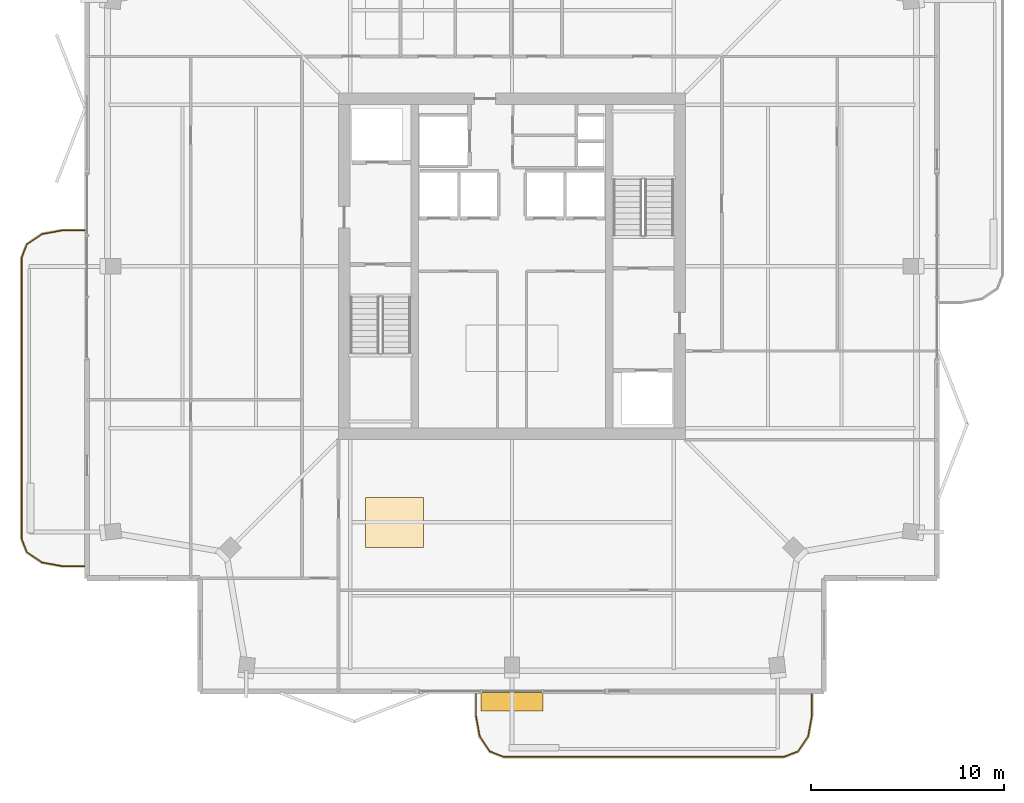
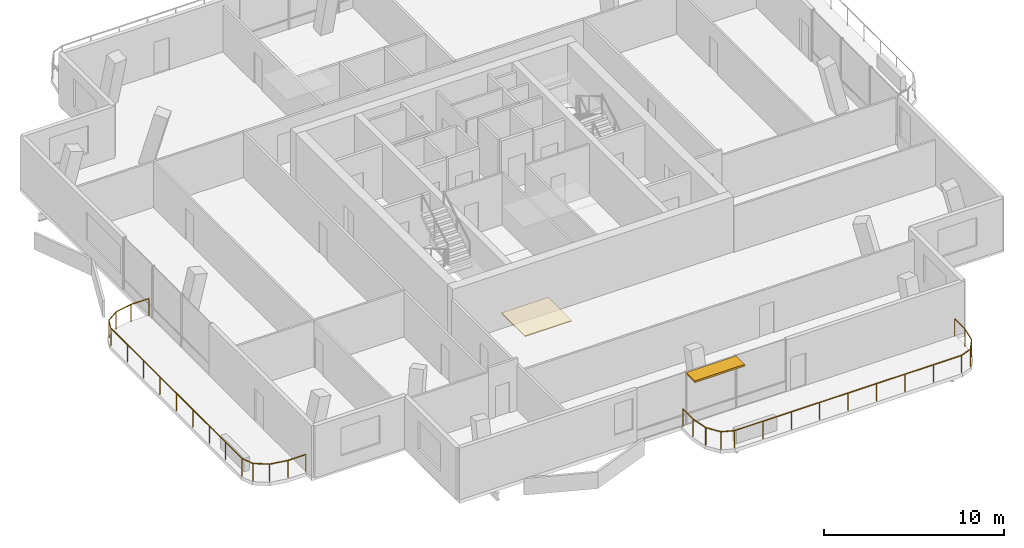
# One storey, part 17 of 19: 2 railings, 1 covering, 1 shading device.
"""IFC4 building model written with IfcOpenShell, lengths in metres."""

import ifcopenshell
import ifcopenshell.guid

model = None  # the IFC model being written
_history = None  # IfcOwnerHistory: only IFC2X3 demands one
_inside = {}  # id of a spatial element -> (the spatial element, [elements in it])
_under = {}  # id of a project, library or spatial element -> (it, [spatial elements below it])
_declared = {}  # id of a project -> (the project, [libraries it declares])
_typed = {}  # id of a type object -> (the type object, [elements of that type])
_made_of = {}  # id of a material, layer set ... -> (it, [elements and type objects made of it])


def new_model(schema):
    """Start an empty IFC model of exactly this schema.

    Asked for "IFC4X3", IfcOpenShell would pick the latest addendum, in which some entities
    have other attributes; the version numbers below select the first issue.
    IFC2X3 requires an IfcOwnerHistory on every rooted entity: one is made here for all.
    """
    global model, _history
    if schema == "IFC4X3":
        model = ifcopenshell.file(schema_version=(4, 3, 0, 0))
    else:
        model = ifcopenshell.file(schema=schema)
    _inside.clear()
    _under.clear()
    _declared.clear()
    _typed.clear()
    _made_of.clear()
    _history = None
    if model.schema == "IFC2X3":
        org = make("IfcOrganization", Name="unknown")
        user = make(
            "IfcPersonAndOrganization",
            ThePerson=make("IfcPerson", FamilyName="unknown"),
            TheOrganization=org,
        )
        app = make(
            "IfcApplication",
            ApplicationDeveloper=org,
            Version="unknown",
            ApplicationFullName="unknown",
            ApplicationIdentifier="unknown",
        )
        _history = make(
            "IfcOwnerHistory",
            OwningUser=user,
            OwningApplication=app,
            ChangeAction="ADDED",
            CreationDate=0,
        )
    return model


def make(cls, **values):
    """One entity of the class cls with the attributes given. An attribute that is None is left unset."""
    return model.create_entity(
        cls, **{name: value for name, value in values.items() if value is not None}
    )


def rooted(cls, **values):
    """An entity with a GlobalId (a new one), such as an element, a storey or a relation."""
    return make(cls, GlobalId=ifcopenshell.guid.new(), OwnerHistory=_history, **values)


def si_unit(unit_type, name, prefix=None):
    """IfcSIUnit, for example si_unit("LENGTHUNIT", "METRE", prefix="MILLI")."""
    return make("IfcSIUnit", UnitType=unit_type, Prefix=prefix, Name=name)


def assignment(units):
    """IfcUnitAssignment: the units of a project."""
    return None if units is None else make("IfcUnitAssignment", Units=units)


def point(xyz):
    """IfcCartesianPoint."""
    return None if xyz is None else make("IfcCartesianPoint", Coordinates=xyz)


def direction(xyz):
    """IfcDirection."""
    return None if xyz is None else make("IfcDirection", DirectionRatios=xyz)


def frame(location, z_axis=None, x_axis=None):
    """IfcAxis2Placement3D, a coordinate frame: its origin and axes. An axis left out is left unset."""
    return make(
        "IfcAxis2Placement3D",
        Location=point(location),
        Axis=direction(z_axis),
        RefDirection=direction(x_axis),
    )


def frame_2d(location, x_axis=None):
    """IfcAxis2Placement2D, a coordinate frame in the plane: its origin and x axis."""
    return make(
        "IfcAxis2Placement2D", Location=point(location), RefDirection=direction(x_axis)
    )


def origin():
    """The frame at (0, 0, 0) with its axes left unset."""
    return frame((0.0, 0.0, 0.0))


def origin_2d():
    """The frame at (0, 0) in the plane with its x axis left unset."""
    return frame_2d((0.0, 0.0))


def place(relative_to, where):
    """IfcLocalPlacement: puts the frame where relative to a parent placement (None: the world)."""
    return make(
        "IfcLocalPlacement", PlacementRelTo=relative_to, RelativePlacement=where
    )


def context(
    kind, dimensions, precision=None, world=None, true_north=None, identifier=None
):
    """IfcGeometricRepresentationContext, for example the 3D "Model" context."""
    return make(
        "IfcGeometricRepresentationContext",
        ContextIdentifier=identifier,
        ContextType=kind,
        CoordinateSpaceDimension=dimensions,
        Precision=precision,
        WorldCoordinateSystem=world,
        TrueNorth=true_north,
    )


def subcontext(parent, identifier, kind, view, scale=None):
    """IfcGeometricRepresentationSubContext, for example "Body" below "Model"."""
    return make(
        "IfcGeometricRepresentationSubContext",
        ContextIdentifier=identifier,
        ContextType=kind,
        ParentContext=parent,
        TargetScale=scale,
        TargetView=view,
    )


def project(units=None, contexts=None):
    """IfcProject with its units and contexts."""
    return rooted(
        "IfcProject",
        Name="project",
        RepresentationContexts=contexts,
        UnitsInContext=assignment(units),
    )


def spatial(cls, under=None, at=None, **own):
    """A site, building, storey or space (cls), placed at a placement, below another one or the project."""
    s = rooted(cls, ObjectPlacement=at, **own)
    if under is not None:
        _under.setdefault(under.id(), (under, []))[1].append(s)
    return s


def polyline(points):
    """IfcPolyline through the points."""
    return make("IfcPolyline", Points=[point(p) for p in points])


def profile(cls, at=None, kind="AREA", **sizes):
    """A parametric profile (cls). Its sizes go by their IFC names, for example OverallWidth=200.0."""
    return make(cls, ProfileType=kind, Position=at, **sizes)


def rectangle(**sizes):
    """IfcRectangleProfileDef."""
    return profile("IfcRectangleProfileDef", **sizes)


def outline(outer, holes=None, kind="AREA"):
    """IfcArbitraryClosedProfileDef: a profile drawn as a closed curve; with holes, ...WithVoids."""
    if holes is None:
        return make("IfcArbitraryClosedProfileDef", ProfileType=kind, OuterCurve=outer)
    return make(
        "IfcArbitraryProfileDefWithVoids",
        ProfileType=kind,
        OuterCurve=outer,
        InnerCurves=holes,
    )


def extrude(swept, where, along, depth):
    """IfcExtrudedAreaSolid: the profile swept, set in the frame where, extruded along a direction by depth."""
    return make(
        "IfcExtrudedAreaSolid",
        SweptArea=swept,
        Position=where,
        ExtrudedDirection=direction(along),
        Depth=depth,
    )


def shape(context_of_items, identifier, shape_type, items):
    """IfcShapeRepresentation: the items that make up one representation, for example the "Body"."""
    return make(
        "IfcShapeRepresentation",
        ContextOfItems=context_of_items,
        RepresentationIdentifier=identifier,
        RepresentationType=shape_type,
        Items=items,
    )


def material(Name=None, Category=None):
    """IfcMaterial."""
    return make("IfcMaterial", Name=Name, Category=Category)


def layer(
    of_material, thickness, ventilated=None, Name=None, Category=None, Priority=None
):
    """IfcMaterialLayer: one layer of a wall or slab, of a material (None: an air gap)."""
    return make(
        "IfcMaterialLayer",
        Material=of_material,
        LayerThickness=thickness,
        IsVentilated=ventilated,
        Name=Name,
        Category=Category,
        Priority=Priority,
    )


def layer_set(layers, Name=None):
    """IfcMaterialLayerSet."""
    return make("IfcMaterialLayerSet", MaterialLayers=layers, LayerSetName=Name)


def made_of(thing, what):
    """Note that an element or type object is made of a material, layer set ...; save() writes the relation."""
    if what is not None:
        _made_of.setdefault(what.id(), (what, []))[1].append(thing)
    return thing


def type_object(cls, material=None, **own):
    """A type object (cls), such as IfcWallType, which elements share."""
    return made_of(rooted(cls, **own), material)


def element(
    cls,
    number,
    at=None,
    inside=None,
    cuts=None,
    type_object=None,
    material=None,
    context=None,
    identifier="Body",
    shape_type=None,
    held_by="IfcProductDefinitionShape",
    body=None,
    shapes=None,
    **own,
):
    """One element of the class cls, such as IfcWall. Its Tag is "e" and its number.

    at: its placement. inside: the storey or other place that contains it. cuts: it is an
    opening in that element (IfcRelVoidsElement). A single representation is given by context,
    identifier, shape_type and body (its items); several are given by shapes. held_by: the class
    of the entity that holds the representations. save() writes the other relations.
    """
    e = rooted(cls, Tag="e%d" % number, ObjectPlacement=at, **own)
    if body is not None:
        shapes = [shape(context, identifier, shape_type, body)]
    if shapes is not None:
        e.Representation = make(held_by, Representations=shapes)
    if inside is not None:
        _inside.setdefault(inside.id(), (inside, []))[1].append(e)
    if cuts is not None:
        rooted(
            "IfcRelVoidsElement", RelatingBuildingElement=cuts, RelatedOpeningElement=e
        )
    if type_object is not None:
        _typed.setdefault(type_object.id(), (type_object, []))[1].append(e)
    return made_of(e, material)


def aggregate(whole, parts):
    """IfcRelAggregates: a whole, such as a stair, and the parts it consists of."""
    return rooted("IfcRelAggregates", RelatingObject=whole, RelatedObjects=parts)


def save(model, path):
    """Write the relations noted so far, then the file.

    IfcRelAggregates (storeys below a building ...), IfcRelContainedInSpatialStructure (elements
    in a storey), IfcRelDefinesByType, IfcRelAssociatesMaterial and IfcRelDeclares: one each for
    every whole, place, type object, material and project.
    """
    for whole, parts in _under.values():
        aggregate(whole, parts)
    for where, things in _inside.values():
        rooted(
            "IfcRelContainedInSpatialStructure",
            RelatedElements=things,
            RelatingStructure=where,
        )
    for kind, things in _typed.values():
        rooted("IfcRelDefinesByType", RelatedObjects=things, RelatingType=kind)
    for what, things in _made_of.values():
        rooted("IfcRelAssociatesMaterial", RelatedObjects=things, RelatingMaterial=what)
    for by, libraries in _declared.values():
        rooted("IfcRelDeclares", RelatingContext=by, RelatedDefinitions=libraries)
    model.write(path)


model = new_model("IFC4")

# Units and contexts
model_context = context("Model", 3, precision=1e-05, world=origin(), true_north=direction((0.0, 1.0)))
body_context = subcontext(model_context, "Body", "Model", "MODEL_VIEW")
ifc_project = project(units=[si_unit("LENGTHUNIT", "METRE"), si_unit("AREAUNIT", "SQUARE_METRE"), si_unit("VOLUMEUNIT", "CUBIC_METRE"), si_unit("PLANEANGLEUNIT", "RADIAN"), si_unit("MASSUNIT", "GRAM", prefix="KILO")], contexts=[model_context])

# Site, building, storey
site_placement = place(None, origin())
site = spatial("IfcSite", under=ifc_project, at=site_placement, CompositionType="ELEMENT")
building_placement = place(site_placement, origin())
building = spatial("IfcBuilding", under=site, at=building_placement, Name="Belovzor Exchange Tower", CompositionType="ELEMENT")
storey_placement = place(building_placement, frame((0.0, 0.0, 340.5)))
storey = spatial("IfcBuildingStorey", under=building, at=storey_placement, Name="L85", CompositionType="ELEMENT", Elevation=340.5)

# Railings
ifc_material_1 = material(Name="Stainless Steel and Laminated Safety Glass", Category="steel")
railing_type = type_object("IfcRailingType", Name="Laminated Glass & Stainless Steel Balcony Balustrade 1200", PredefinedType="BALUSTRADE", material=ifc_material_1)
railing_1_placement = place(storey_placement, frame((26.929931640625, 6.590087890625, 0.0)))
element("IfcRailing", 1, at=railing_1_placement, inside=storey, type_object=railing_type, Name="GR-1 Balcony Balustrade L85 South", PredefinedType="BALUSTRADE", context=body_context, shape_type="SweptSolid", body=[
    extrude(rectangle(XDim=0.048095703125, YDim=0.048095703125, at=origin_2d()), frame((0.0, 0.0, 1.17578125), z_axis=(0.0, -1.0, 0.0), x_axis=(1.0, 0.0, 0.0)), (0.0, 0.0, 1.0), 1.133056640625),
    extrude(rectangle(XDim=0.048095703125, YDim=0.048095703125, at=origin_2d()), frame((0.0, -1.133056640625, 1.17578125), z_axis=(0.180122719713, -0.983644145941, 0.0), x_axis=(0.983644145941, 0.180122719713, 0.0)), (0.0, 0.0, 1.0), 1.09375),
    extrude(rectangle(XDim=0.048095703125, YDim=0.048095703125, at=origin_2d()), frame((0.197021484375, -2.208984375, 1.17578125), z_axis=(0.56294695933, -0.826493025367, 0.0), x_axis=(0.826493025367, 0.56294695933, 0.0)), (0.0, 0.0, 1.0), 0.932861328125),
    extrude(rectangle(XDim=0.048095703125, YDim=0.048095703125, at=origin_2d()), frame((0.72216796875, -2.97998046875, 1.17578125), z_axis=(0.930766990125, -0.365612923861, 0.0), x_axis=(0.365612923861, 0.930766990125, 0.0)), (0.0, 0.0, 1.0), 0.765869140625),
    extrude(rectangle(XDim=0.048095703125, YDim=0.048095703125, at=origin_2d()), frame((1.43505859375, -3.260009765625, 1.17578125), z_axis=(1.0, 0.0, 0.0), x_axis=(0.0, 1.0, 0.0)), (0.0, 0.0, 1.0), 14.570068359375),
    extrude(rectangle(XDim=0.048095703125, YDim=0.048095703125, at=origin_2d()), frame((16.005126953125, -3.260009765625, 1.17578125), z_axis=(0.930766990125, 0.365612923861, 0.0), x_axis=(-0.365612923861, 0.930766990125, 0.0)), (0.0, 0.0, 1.0), 0.765869140625),
    extrude(rectangle(XDim=0.048095703125, YDim=0.048095703125, at=origin_2d()), frame((16.718017578125, -2.97998046875, 1.17578125), z_axis=(0.56294695933, 0.826493025367, 0.0), x_axis=(-0.826493025367, 0.56294695933, 0.0)), (0.0, 0.0, 1.0), 0.932861328125),
    extrude(rectangle(XDim=0.048095703125, YDim=0.048095703125, at=origin_2d()), frame((17.2431640625, -2.208984375, 1.17578125), z_axis=(0.180122719713, 0.983644145941, 0.0), x_axis=(-0.983644145941, 0.180122719713, 0.0)), (0.0, 0.0, 1.0), 1.09375),
    extrude(rectangle(XDim=0.048095703125, YDim=0.048095703125, at=origin_2d()), frame((17.440185546875, -1.133056640625, 1.17578125), z_axis=(0.0, 1.0, 0.0), x_axis=(-1.0, 0.0, 0.0)), (0.0, 0.0, 1.0), 1.133056640625),
    extrude(rectangle(XDim=0.0419921875, YDim=0.0419921875, at=origin_2d()), origin(), (0.0, 0.0, 1.0), 1.15185546875),
    extrude(rectangle(XDim=0.0419921875, YDim=0.0419921875, at=origin_2d()), frame((0.0, -1.133056640625, 0.0)), (0.0, 0.0, 1.0), 1.15185546875),
    extrude(rectangle(XDim=0.0419921875, YDim=0.0419921875, at=origin_2d()), frame((0.197021484375, -2.208984375, 0.0)), (0.0, 0.0, 1.0), 1.15185546875),
    extrude(rectangle(XDim=0.0419921875, YDim=0.0419921875, at=origin_2d()), frame((0.72216796875, -2.97998046875, 0.0)), (0.0, 0.0, 1.0), 1.15185546875),
    extrude(rectangle(XDim=0.0419921875, YDim=0.0419921875, at=origin_2d()), frame((1.43505859375, -3.260009765625, 0.0)), (0.0, 0.0, 1.0), 1.15185546875),
    extrude(rectangle(XDim=0.0419921875, YDim=0.0419921875, at=origin_2d()), frame((3.25634765625, -3.260009765625, 0.0)), (0.0, 0.0, 1.0), 1.15185546875),
    extrude(rectangle(XDim=0.0419921875, YDim=0.0419921875, at=origin_2d()), frame((5.07763671875, -3.260009765625, 0.0)), (0.0, 0.0, 1.0), 1.15185546875),
    extrude(rectangle(XDim=0.0419921875, YDim=0.0419921875, at=origin_2d()), frame((6.89892578125, -3.260009765625, 0.0)), (0.0, 0.0, 1.0), 1.15185546875),
    extrude(rectangle(XDim=0.0419921875, YDim=0.0419921875, at=origin_2d()), frame((8.72021484375, -3.260009765625, 0.0)), (0.0, 0.0, 1.0), 1.15185546875),
    extrude(rectangle(XDim=0.0419921875, YDim=0.0419921875, at=origin_2d()), frame((10.541259765625, -3.260009765625, 0.0)), (0.0, 0.0, 1.0), 1.15185546875),
    extrude(rectangle(XDim=0.0419921875, YDim=0.0419921875, at=origin_2d()), frame((12.362548828125, -3.260009765625, 0.0)), (0.0, 0.0, 1.0), 1.15185546875),
    extrude(rectangle(XDim=0.0419921875, YDim=0.0419921875, at=origin_2d()), frame((14.183837890625, -3.260009765625, 0.0)), (0.0, 0.0, 1.0), 1.15185546875),
    extrude(rectangle(XDim=0.0419921875, YDim=0.0419921875, at=origin_2d()), frame((16.005126953125, -3.260009765625, 0.0)), (0.0, 0.0, 1.0), 1.15185546875),
    extrude(rectangle(XDim=0.0419921875, YDim=0.0419921875, at=origin_2d()), frame((16.718017578125, -2.97998046875, 0.0)), (0.0, 0.0, 1.0), 1.15185546875),
    extrude(rectangle(XDim=0.0419921875, YDim=0.0419921875, at=origin_2d()), frame((17.2431640625, -2.208984375, 0.0)), (0.0, 0.0, 1.0), 1.15185546875),
    extrude(rectangle(XDim=0.0419921875, YDim=0.0419921875, at=origin_2d()), frame((17.440185546875, -1.133056640625, 0.0)), (0.0, 0.0, 1.0), 1.15185546875),
    extrude(rectangle(XDim=0.0419921875, YDim=0.0419921875, at=origin_2d()), frame((17.440185546875, 0.0, 0.0)), (0.0, 0.0, 1.0), 1.15185546875),
])
railing_2_placement = place(storey_placement, frame((6.590087890625, 30.669921875, 0.0)))
element("IfcRailing", 2, at=railing_2_placement, inside=storey, type_object=railing_type, Name="GR-1 Balcony Balustrade L85 West", PredefinedType="BALUSTRADE", context=body_context, shape_type="SweptSolid", body=[
    extrude(rectangle(XDim=0.048095703125, YDim=0.048095703125, at=origin_2d()), frame((0.0, 0.0, 1.17578125), z_axis=(-1.0, 0.0, 0.0), x_axis=(0.0, -1.0, 0.0)), (0.0, 0.0, 1.0), 1.133056640625),
    extrude(rectangle(XDim=0.048095703125, YDim=0.048095703125, at=origin_2d()), frame((-1.133056640625, 0.0, 1.17578125), z_axis=(-0.983644145941, -0.180122719713, 0.0), x_axis=(0.180122719713, -0.983644145941, 0.0)), (0.0, 0.0, 1.0), 1.09375),
    extrude(rectangle(XDim=0.048095703125, YDim=0.048095703125, at=origin_2d()), frame((-2.208984375, -0.197021484375, 1.17578125), z_axis=(-0.826614792125, -0.562768145367, 0.0), x_axis=(0.562768145367, -0.826614792125, 0.0)), (0.0, 0.0, 1.0), 0.9326171875),
    extrude(rectangle(XDim=0.048095703125, YDim=0.048095703125, at=origin_2d()), frame((-2.97998046875, -0.721923828125, 1.17578125), z_axis=(-0.365612923861, -0.930766990125, 0.0), x_axis=(0.930766990125, -0.365612923861, 0.0)), (0.0, 0.0, 1.0), 0.765869140625),
    extrude(rectangle(XDim=0.048095703125, YDim=0.048095703125, at=origin_2d()), frame((-3.260009765625, -1.434814453125, 1.17578125), z_axis=(0.0, -1.0, 0.0), x_axis=(1.0, 0.0, 0.0)), (0.0, 0.0, 1.0), 14.570068359375),
    extrude(rectangle(XDim=0.048095703125, YDim=0.048095703125, at=origin_2d()), frame((-3.260009765625, -16.0048828125, 1.17578125), z_axis=(0.365504480807, -0.930809580156, 0.0), x_axis=(0.930809580156, 0.365504480807, 0.0)), (0.0, 0.0, 1.0), 0.76611328125),
    extrude(rectangle(XDim=0.048095703125, YDim=0.048095703125, at=origin_2d()), frame((-2.97998046875, -16.718017578125, 1.17578125), z_axis=(0.826614792125, -0.562768145367, 0.0), x_axis=(0.562768145367, 0.826614792125, 0.0)), (0.0, 0.0, 1.0), 0.9326171875),
    extrude(rectangle(XDim=0.048095703125, YDim=0.048095703125, at=origin_2d()), frame((-2.208984375, -17.242919921875, 1.17578125), z_axis=(0.983644145941, -0.180122719713, 0.0), x_axis=(0.180122719713, 0.983644145941, 0.0)), (0.0, 0.0, 1.0), 1.09375),
    extrude(rectangle(XDim=0.048095703125, YDim=0.048095703125, at=origin_2d()), frame((-1.133056640625, -17.43994140625, 1.17578125), z_axis=(1.0, 0.0, 0.0), x_axis=(0.0, 1.0, 0.0)), (0.0, 0.0, 1.0), 1.133056640625),
    extrude(rectangle(XDim=0.0419921875, YDim=0.0419921875, at=origin_2d()), origin(), (0.0, 0.0, 1.0), 1.15185546875),
    extrude(rectangle(XDim=0.0419921875, YDim=0.0419921875, at=origin_2d()), frame((-1.133056640625, 0.0, 0.0)), (0.0, 0.0, 1.0), 1.15185546875),
    extrude(rectangle(XDim=0.0419921875, YDim=0.0419921875, at=origin_2d()), frame((-2.208984375, -0.197021484375, 0.0)), (0.0, 0.0, 1.0), 1.15185546875),
    extrude(rectangle(XDim=0.0419921875, YDim=0.0419921875, at=origin_2d()), frame((-2.97998046875, -0.721923828125, 0.0)), (0.0, 0.0, 1.0), 1.15185546875),
    extrude(rectangle(XDim=0.0419921875, YDim=0.0419921875, at=origin_2d()), frame((-3.260009765625, -1.434814453125, 0.0)), (0.0, 0.0, 1.0), 1.15185546875),
    extrude(rectangle(XDim=0.0419921875, YDim=0.0419921875, at=origin_2d()), frame((-3.260009765625, -3.256103515625, 0.0)), (0.0, 0.0, 1.0), 1.15185546875),
    extrude(rectangle(XDim=0.0419921875, YDim=0.0419921875, at=origin_2d()), frame((-3.260009765625, -5.077392578125, 0.0)), (0.0, 0.0, 1.0), 1.15185546875),
    extrude(rectangle(XDim=0.0419921875, YDim=0.0419921875, at=origin_2d()), frame((-3.260009765625, -6.898681640625, 0.0)), (0.0, 0.0, 1.0), 1.15185546875),
    extrude(rectangle(XDim=0.0419921875, YDim=0.0419921875, at=origin_2d()), frame((-3.260009765625, -8.7197265625, 0.0)), (0.0, 0.0, 1.0), 1.15185546875),
    extrude(rectangle(XDim=0.0419921875, YDim=0.0419921875, at=origin_2d()), frame((-3.260009765625, -10.541015625, 0.0)), (0.0, 0.0, 1.0), 1.15185546875),
    extrude(rectangle(XDim=0.0419921875, YDim=0.0419921875, at=origin_2d()), frame((-3.260009765625, -12.3623046875, 0.0)), (0.0, 0.0, 1.0), 1.15185546875),
    extrude(rectangle(XDim=0.0419921875, YDim=0.0419921875, at=origin_2d()), frame((-3.260009765625, -14.18359375, 0.0)), (0.0, 0.0, 1.0), 1.15185546875),
    extrude(rectangle(XDim=0.0419921875, YDim=0.0419921875, at=origin_2d()), frame((-3.260009765625, -16.0048828125, 0.0)), (0.0, 0.0, 1.0), 1.15185546875),
    extrude(rectangle(XDim=0.0419921875, YDim=0.0419921875, at=origin_2d()), frame((-2.97998046875, -16.718017578125, 0.0)), (0.0, 0.0, 1.0), 1.15185546875),
    extrude(rectangle(XDim=0.0419921875, YDim=0.0419921875, at=origin_2d()), frame((-2.208984375, -17.242919921875, 0.0)), (0.0, 0.0, 1.0), 1.15185546875),
    extrude(rectangle(XDim=0.0419921875, YDim=0.0419921875, at=origin_2d()), frame((-1.133056640625, -17.43994140625, 0.0)), (0.0, 0.0, 1.0), 1.15185546875),
    extrude(rectangle(XDim=0.0419921875, YDim=0.0419921875, at=origin_2d()), frame((0.0, -17.43994140625, 0.0)), (0.0, 0.0, 1.0), 1.15185546875),
])

# Covering
ifc_material_2 = material(Name="Perforated Powder-Coated Aluminium", Category="aluminium")
ifc_layer_1 = layer(ifc_material_2, 0.06005859375)
ifc_layer_set_1 = layer_set([ifc_layer_1], Name="Perforated Powder-Coated Aluminium")
covering_type = type_object("IfcCoveringType", Name="Perforated Acoustic Metal Tile Suspended Ceiling 60", PredefinedType="CEILING", material=ifc_layer_set_1)
covering_placement = place(storey_placement, frame((0.0, 0.0, 3.449951171875)))
element("IfcCovering", 3, at=covering_placement, inside=storey, type_object=covering_type, Name="CLG-AC60 Suspended Ceiling CLG-L85-Z0", PredefinedType="CEILING", context=body_context, shape_type="SweptSolid", body=[
    extrude(outline(polyline([(21.199951171875, 14.199951171875), (24.199951171875, 14.199951171875), (24.199951171875, 16.800048828125), (21.199951171875, 16.800048828125), (21.199951171875, 14.199951171875)])), origin(), (0.0, 0.0, 1.0), 0.06005859375),
])

# Shading device
ifc_material_3 = material(Name="Extruded Architectural Terracotta", Category="masonry")
ifc_layer_2 = layer(ifc_material_3, 0.1201171875)
ifc_layer_set_2 = layer_set([ifc_layer_2], Name="Extruded Architectural Terracotta")
shading_device_type = type_object("IfcShadingDeviceType", Name="Streamline Terracotta Horizontal Sunshade Hood 950", PredefinedType="AWNING", material=ifc_layer_set_2)
shading_device_placement = place(storey_placement, frame((28.800048828125, 6.18505859375, 3.389892578125), z_axis=(0.0, 0.0, 1.0), x_axis=(1.0, 0.0, 0.0)))
element("IfcShadingDevice", 4, at=shading_device_placement, inside=storey, type_object=shading_device_type, Name="SHD-TC095 Terracotta Sunshade L85 S", PredefinedType="AWNING", context=body_context, shape_type="SweptSolid", body=[
    extrude(rectangle(XDim=3.199951171875, YDim=0.949951171875, at=origin_2d()), origin(), (0.0, 0.0, 1.0), 0.1201171875),
])

save(model, "model.ifc")
